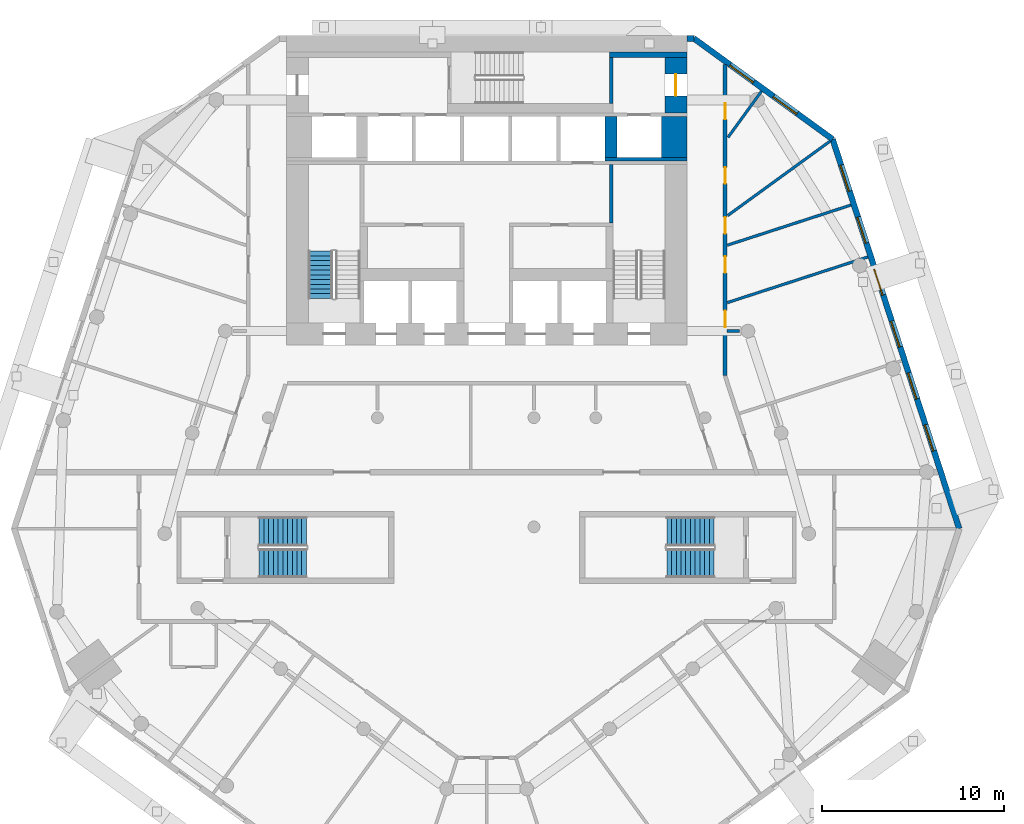
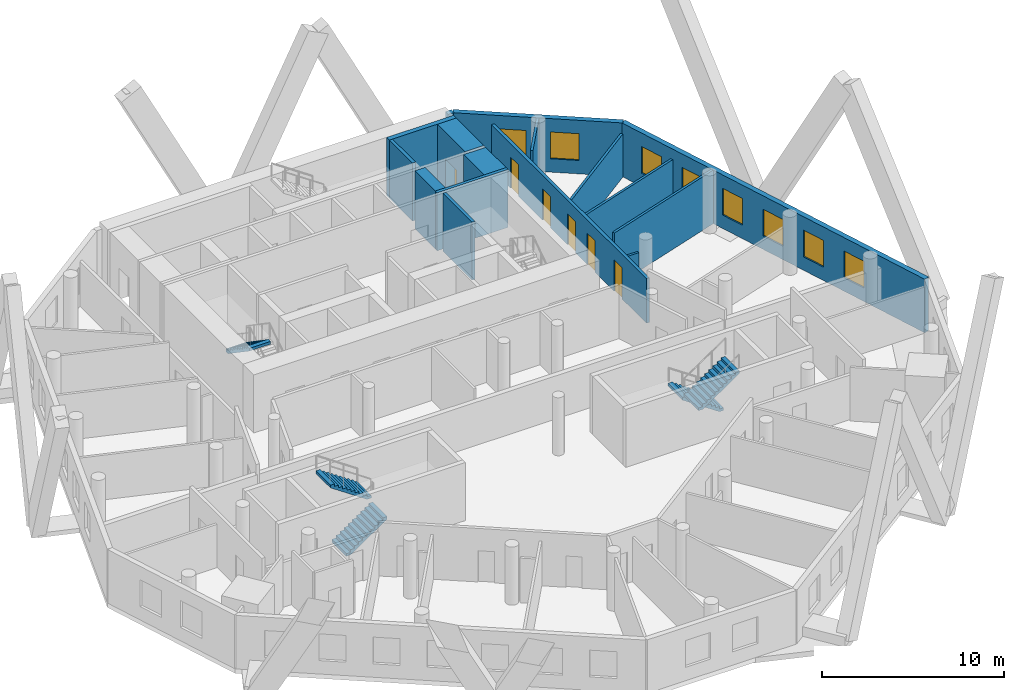
# One storey, part 7 of 10: 16 walls, 8 windows, 6 doors, 5 stair flights, 14 openings, 3 elements without a shape of their own.
"""IFC4 building model written with IfcOpenShell, lengths in metres."""

from ifc_helpers import new_model, si_unit, direction, frame, frame_2d, origin, place, context, subcontext, project, spatial, polyline, rectangle, outline, extrude, material, layer, layer_set, type_object, element, fill, aggregate, save


model = new_model("IFC4")

# Units and contexts
model_context = context("Model", 3, precision=1e-05, world=origin(), true_north=direction((0.0, 1.0)))
body_context = subcontext(model_context, "Body", "Model", "MODEL_VIEW")
ifc_project = project(units=[si_unit("LENGTHUNIT", "METRE"), si_unit("AREAUNIT", "SQUARE_METRE"), si_unit("VOLUMEUNIT", "CUBIC_METRE"), si_unit("PLANEANGLEUNIT", "RADIAN"), si_unit("MASSUNIT", "GRAM", prefix="KILO")], contexts=[model_context])

# Site, building, storey
site_placement = place(None, origin())
site = spatial("IfcSite", under=ifc_project, at=site_placement, CompositionType="ELEMENT")
building_placement = place(site_placement, origin())
building = spatial("IfcBuilding", under=site, at=building_placement, Name="White Candle Pilgrim Tower", CompositionType="ELEMENT")
storey_placement = place(building_placement, frame((0.0, 0.0, 66.300048828125)))
storey = spatial("IfcBuildingStorey", under=building, at=storey_placement, Name="L13", CompositionType="ELEMENT", Elevation=66.300048828125)

# Wall, opening, door
ifc_material_1 = material(Name="Concrete C70/85", Category="concrete")
ifc_layer_1 = layer(ifc_material_1, 1.199951171875)
ifc_layer_set_1 = layer_set([ifc_layer_1], Name="Core wall 1200 mm Concrete C70/85")
wall_type_1 = type_object("IfcWallType", Name="Core wall 1200 mm Concrete C70/85", PredefinedType="SHEAR", material=ifc_layer_set_1)
wall_1_placement = place(storey_placement, frame((80.39990234375, 83.75, 0.0), z_axis=(0.0, 0.0, 1.0), x_axis=(0.0, 1.0, 0.0)))
wall_1 = element("IfcWall", 1, at=wall_1_placement, inside=storey, type_object=wall_type_1, Name="WL-L13-C44", PredefinedType="SHEAR", context=body_context, shape_type="SweptSolid", body=[
    extrude(rectangle(XDim=3.050048828125, YDim=1.199951171875, at=frame_2d((1.52490234375, 0.0))), origin(), (0.0, 0.0, 1.0), 3.89990234375),
])
opening_1_placement = place(wall_1_placement, frame((0.925048828125, 0.0, 0.0)))
opening_1 = element("IfcOpeningElement", 2, at=opening_1_placement, cuts=wall_1, Name="Opening T04-006", PredefinedType="OPENING", context=body_context, shape_type="SweptSolid", body=[
    extrude(rectangle(XDim=1.199951171875, YDim=2.10009765625, at=frame_2d((0.60009765625, 1.050048828125))), frame((0.0, 0.60986328125, 0.0), z_axis=(0.0, -1.0, 0.0), x_axis=(1.0, 0.0, 0.0)), (0.0, 0.0, 1.0), 1.219970703125),
])
ifc_material_2 = material(Name="Steel door leaf", Category="steel")
door_type_1 = type_object("IfcDoorType", Name="Fire door 1200 x 2100 EI 30", OperationType="NOTDEFINED", PredefinedType="DOOR", material=ifc_material_2)
door_1_placement = place(opening_1_placement, origin())
door_1 = element("IfcDoor", 3, at=door_1_placement, inside=storey, type_object=door_type_1, Name="Door T04-006", OperationType="SINGLE_SWING_RIGHT", OverallHeight=2.10009765625, OverallWidth=1.199951171875, PredefinedType="DOOR", context=body_context, shape_type="SweptSolid", body=[
    extrude(rectangle(XDim=1.199951171875, YDim=2.10009765625, at=frame_2d((0.60009765625, 1.050048828125))), frame((0.0, 0.02490234375, 0.0), z_axis=(0.0, -1.0, 0.0), x_axis=(1.0, 0.0, 0.0)), (0.0, 0.0, 1.0), 0.050048828125),
])
fill(opening_1, door_1)

# Walls
ifc_layer_2 = layer(ifc_material_1, 1.39990234375)
ifc_layer_set_2 = layer_set([ifc_layer_2], Name="Core wall 1400 mm Concrete C70/85")
wall_type_2 = type_object("IfcWallType", Name="Core wall 1400 mm Concrete C70/85", PredefinedType="SHEAR", material=ifc_layer_set_2)
wall_2_placement = place(storey_placement, frame((80.300048828125, 81.300048828125, 0.0), z_axis=(0.0, 0.0, 1.0), x_axis=(0.0, 1.0, 0.0)))
element("IfcWall", 4, at=wall_2_placement, inside=storey, type_object=wall_type_2, Name="WL-L13-C40", PredefinedType="SHEAR", context=body_context, shape_type="SweptSolid", body=[
    extrude(rectangle(XDim=2.25, YDim=1.39990234375, at=frame_2d((1.125, 0.0))), origin(), (0.0, 0.0, 1.0), 3.89990234375),
])
ifc_layer_3 = layer(ifc_material_1, 0.199951171875)
ifc_layer_set_3 = layer_set([ifc_layer_3], Name="Core wall 200 mm Concrete C70/85")
wall_type_3 = type_object("IfcWallType", Name="Core wall 200 mm Concrete C70/85", PredefinedType="SHEAR", material=ifc_layer_set_3)
wall_3_placement = place(storey_placement, frame((76.5, 81.199951171875, 0.0), z_axis=(0.0, 0.0, 1.0), x_axis=(1.0, 0.0, 0.0)))
element("IfcWall", 5, at=wall_3_placement, inside=storey, type_object=wall_type_3, Name="WL-L13-C36", PredefinedType="SHEAR", context=body_context, shape_type="SweptSolid", body=[
    extrude(rectangle(XDim=4.5, YDim=0.199951171875, at=frame_2d((2.25, 0.0))), origin(), (0.0, 0.0, 1.0), 3.89990234375),
])

# Wall, openings, doors
ifc_material_3 = material(Name="Gypsum board on steel studs", Category="steel")
ifc_layer_4 = layer(ifc_material_3, 0.199951171875)
ifc_layer_set_4 = layer_set([ifc_layer_4], Name="Corridor wall 200 mm EI 45")
wall_type_4 = type_object("IfcWallType", Name="Corridor wall 200 mm EI 45", PredefinedType="PARTITIONING", material=ifc_layer_set_4)
wall_4_placement = place(storey_placement, frame((83.10009765625, 86.396240234375, 0.0), z_axis=(0.0, 0.0, 1.0), x_axis=(0.0, -1.0, 0.0)))
wall_4 = element("IfcWall", 6, at=wall_4_placement, inside=storey, type_object=wall_type_4, Name="WL-L13-P004", PredefinedType="PARTITIONING", context=body_context, shape_type="SweptSolid", body=[
    extrude(rectangle(XDim=17.0771484375, YDim=0.199951171875, at=frame_2d((8.53857421875, 0.0))), origin(), (0.0, 0.0, 1.0), 3.0),
])
opening_2_placement = place(wall_4_placement, frame((2.111572265625, 0.0, 0.0)))
opening_2 = element("IfcOpeningElement", 7, at=opening_2_placement, cuts=wall_4, Name="Opening T04-122", PredefinedType="OPENING", context=body_context, shape_type="SweptSolid", body=[
    extrude(rectangle(XDim=0.89990234375, YDim=2.10009765625, at=frame_2d((0.449951171875, 1.050048828125))), frame((0.0, 0.10986328125, 0.0), z_axis=(0.0, -1.0, 0.0), x_axis=(1.0, 0.0, 0.0)), (0.0, 0.0, 1.0), 0.219970703125),
])
opening_3_placement = place(wall_4_placement, frame((5.641357421875, 0.0, 0.0)))
opening_3 = element("IfcOpeningElement", 8, at=opening_3_placement, cuts=wall_4, Name="Opening T04-123", PredefinedType="OPENING", context=body_context, shape_type="SweptSolid", body=[
    extrude(rectangle(XDim=0.89990234375, YDim=2.10009765625, at=frame_2d((0.449951171875, 1.050048828125))), frame((0.0, 0.10986328125, 0.0), z_axis=(0.0, -1.0, 0.0), x_axis=(1.0, 0.0, 0.0)), (0.0, 0.0, 1.0), 0.219970703125),
])
opening_4_placement = place(wall_4_placement, frame((8.3798828125, 0.0, 0.0)))
opening_4 = element("IfcOpeningElement", 9, at=opening_4_placement, cuts=wall_4, Name="Opening T04-124", PredefinedType="OPENING", context=body_context, shape_type="SweptSolid", body=[
    extrude(rectangle(XDim=0.89990234375, YDim=2.10009765625, at=frame_2d((0.449951171875, 1.050048828125))), frame((0.0, 0.10986328125, 0.0), z_axis=(0.0, -1.0, 0.0), x_axis=(1.0, 0.0, 0.0)), (0.0, 0.0, 1.0), 0.219970703125),
])
opening_5_placement = place(wall_4_placement, frame((10.534423828125, 0.0, 0.0)))
opening_5 = element("IfcOpeningElement", 10, at=opening_5_placement, cuts=wall_4, Name="Opening T04-125", PredefinedType="OPENING", context=body_context, shape_type="SweptSolid", body=[
    extrude(rectangle(XDim=0.89990234375, YDim=2.10009765625, at=frame_2d((0.449951171875, 1.050048828125))), frame((0.0, 0.10986328125, 0.0), z_axis=(0.0, -1.0, 0.0), x_axis=(1.0, 0.0, 0.0)), (0.0, 0.0, 1.0), 0.219970703125),
])
opening_6_placement = place(wall_4_placement, frame((13.515380859375, 0.0, 0.0)))
opening_6 = element("IfcOpeningElement", 11, at=opening_6_placement, cuts=wall_4, Name="Opening T04-126", PredefinedType="OPENING", context=body_context, shape_type="SweptSolid", body=[
    extrude(rectangle(XDim=0.89990234375, YDim=2.10009765625, at=frame_2d((0.449951171875, 1.050048828125))), frame((0.0, 0.10986328125, 0.0), z_axis=(0.0, -1.0, 0.0), x_axis=(1.0, 0.0, 0.0)), (0.0, 0.0, 1.0), 0.219970703125),
])
door_type_2 = type_object("IfcDoorType", Name="Fire door 900 x 2100 EI 30", OperationType="NOTDEFINED", PredefinedType="DOOR", material=ifc_material_2)
door_2_placement = place(opening_2_placement, origin())
door_2 = element("IfcDoor", 12, at=door_2_placement, inside=storey, type_object=door_type_2, Name="Door T04-122", OperationType="SINGLE_SWING_RIGHT", OverallHeight=2.10009765625, OverallWidth=0.89990234375, PredefinedType="DOOR", context=body_context, shape_type="SweptSolid", body=[
    extrude(rectangle(XDim=0.89990234375, YDim=2.10009765625, at=frame_2d((0.449951171875, 1.050048828125))), frame((0.0, 0.02490234375, 0.0), z_axis=(0.0, -1.0, 0.0), x_axis=(1.0, 0.0, 0.0)), (0.0, 0.0, 1.0), 0.050048828125),
])
fill(opening_2, door_2)
door_3_placement = place(opening_3_placement, origin())
door_3 = element("IfcDoor", 13, at=door_3_placement, inside=storey, type_object=door_type_2, Name="Door T04-123", OperationType="SINGLE_SWING_LEFT", OverallHeight=2.10009765625, OverallWidth=0.89990234375, PredefinedType="DOOR", context=body_context, shape_type="SweptSolid", body=[
    extrude(rectangle(XDim=0.89990234375, YDim=2.10009765625, at=frame_2d((0.449951171875, 1.050048828125))), frame((0.0, 0.02490234375, 0.0), z_axis=(0.0, -1.0, 0.0), x_axis=(1.0, 0.0, 0.0)), (0.0, 0.0, 1.0), 0.050048828125),
])
fill(opening_3, door_3)
door_4_placement = place(opening_4_placement, origin())
door_4 = element("IfcDoor", 14, at=door_4_placement, inside=storey, type_object=door_type_2, Name="Door T04-124", OperationType="SINGLE_SWING_RIGHT", OverallHeight=2.10009765625, OverallWidth=0.89990234375, PredefinedType="DOOR", context=body_context, shape_type="SweptSolid", body=[
    extrude(rectangle(XDim=0.89990234375, YDim=2.10009765625, at=frame_2d((0.449951171875, 1.050048828125))), frame((0.0, 0.02490234375, 0.0), z_axis=(0.0, -1.0, 0.0), x_axis=(1.0, 0.0, 0.0)), (0.0, 0.0, 1.0), 0.050048828125),
])
fill(opening_4, door_4)
door_5_placement = place(opening_5_placement, origin())
door_5 = element("IfcDoor", 15, at=door_5_placement, inside=storey, type_object=door_type_2, Name="Door T04-125", OperationType="SINGLE_SWING_LEFT", OverallHeight=2.10009765625, OverallWidth=0.89990234375, PredefinedType="DOOR", context=body_context, shape_type="SweptSolid", body=[
    extrude(rectangle(XDim=0.89990234375, YDim=2.10009765625, at=frame_2d((0.449951171875, 1.050048828125))), frame((0.0, 0.02490234375, 0.0), z_axis=(0.0, -1.0, 0.0), x_axis=(1.0, 0.0, 0.0)), (0.0, 0.0, 1.0), 0.050048828125),
])
fill(opening_5, door_5)
door_6_placement = place(opening_6_placement, origin())
door_6 = element("IfcDoor", 16, at=door_6_placement, inside=storey, type_object=door_type_2, Name="Door T04-126", OperationType="SINGLE_SWING_LEFT", OverallHeight=2.10009765625, OverallWidth=0.89990234375, PredefinedType="DOOR", context=body_context, shape_type="SweptSolid", body=[
    extrude(rectangle(XDim=0.89990234375, YDim=2.10009765625, at=frame_2d((0.449951171875, 1.050048828125))), frame((0.0, 0.02490234375, 0.0), z_axis=(0.0, -1.0, 0.0), x_axis=(1.0, 0.0, 0.0)), (0.0, 0.0, 1.0), 0.050048828125),
])
fill(opening_6, door_6)

# Wall, openings, windows
ifc_material_4 = material(Name="Precast concrete C40/50", Category="concrete")
ifc_layer_5 = layer(ifc_material_4, 0.320068359375)
ifc_layer_set_5 = layer_set([ifc_layer_5], Name="Facade wall EW1 precast concrete C40/50 pier wall with timber-lined reveals")
wall_type_5 = type_object("IfcWallType", Name="Facade wall EW1 precast concrete C40/50 pier wall with timber-lined reveals", PredefinedType="SOLIDWALL", material=ifc_layer_set_5)
wall_5_placement = place(storey_placement, frame((95.96533203125, 60.903564453125, 0.0), z_axis=(0.0, 0.0, 1.0), x_axis=(-0.309016374519, 0.951056717698, 0.0)))
wall_5 = element("IfcWall", 17, at=wall_5_placement, inside=storey, type_object=wall_type_5, Name="Facade wall L13 ENE", PredefinedType="SOLIDWALL", context=body_context, shape_type="SweptSolid", body=[
    extrude(rectangle(XDim=22.49462890625, YDim=0.320068359375, at=frame_2d((11.247314453125, 0.0))), origin(), (0.0, 0.0, 1.0), 3.599853515625),
])
opening_7_placement = place(wall_5_placement, frame((4.497314453125, 0.0, 0.89990234375)))
opening_7 = element("IfcOpeningElement", 18, at=opening_7_placement, cuts=wall_5, Name="Opening W1", PredefinedType="OPENING", context=body_context, shape_type="SweptSolid", body=[
    extrude(rectangle(XDim=1.5, YDim=1.800048828125, at=frame_2d((0.75, 0.89990234375))), frame((0.0, 0.169921875, 0.0), z_axis=(0.0, -1.0, 0.0), x_axis=(1.0, 0.0, 0.0)), (0.0, 0.0, 1.0), 0.340087890625),
])
opening_8_placement = place(wall_5_placement, frame((7.497314453125, 0.0, 0.89990234375)))
opening_8 = element("IfcOpeningElement", 19, at=opening_8_placement, cuts=wall_5, Name="Opening W1", PredefinedType="OPENING", context=body_context, shape_type="SweptSolid", body=[
    extrude(rectangle(XDim=1.5, YDim=1.800048828125, at=frame_2d((0.75, 0.89990234375))), frame((0.0, 0.169921875, 0.0), z_axis=(0.0, -1.0, 0.0), x_axis=(1.0, 0.0, 0.0)), (0.0, 0.0, 1.0), 0.340087890625),
])
opening_9_placement = place(wall_5_placement, frame((10.497314453125, 0.0, 0.89990234375)))
opening_9 = element("IfcOpeningElement", 20, at=opening_9_placement, cuts=wall_5, Name="Opening W1", PredefinedType="OPENING", context=body_context, shape_type="SweptSolid", body=[
    extrude(rectangle(XDim=1.5, YDim=1.800048828125, at=frame_2d((0.75, 0.89990234375))), frame((0.0, 0.169921875, 0.0), z_axis=(0.0, -1.0, 0.0), x_axis=(1.0, 0.0, 0.0)), (0.0, 0.0, 1.0), 0.340087890625),
])
opening_10_placement = place(wall_5_placement, frame((13.497314453125, 0.0, 0.89990234375)))
opening_10 = element("IfcOpeningElement", 21, at=opening_10_placement, cuts=wall_5, Name="Opening W1", PredefinedType="OPENING", context=body_context, shape_type="SweptSolid", body=[
    extrude(rectangle(XDim=1.5, YDim=1.800048828125, at=frame_2d((0.75, 0.89990234375))), frame((0.0, 0.169921875, 0.0), z_axis=(0.0, -1.0, 0.0), x_axis=(1.0, 0.0, 0.0)), (0.0, 0.0, 1.0), 0.340087890625),
])
opening_11_placement = place(wall_5_placement, frame((16.497314453125, 0.0, 0.89990234375)))
opening_11 = element("IfcOpeningElement", 22, at=opening_11_placement, cuts=wall_5, Name="Opening W1", PredefinedType="OPENING", context=body_context, shape_type="SweptSolid", body=[
    extrude(rectangle(XDim=1.5, YDim=1.800048828125, at=frame_2d((0.75, 0.89990234375))), frame((0.0, 0.169921875, 0.0), z_axis=(0.0, -1.0, 0.0), x_axis=(1.0, 0.0, 0.0)), (0.0, 0.0, 1.0), 0.340087890625),
])
opening_12_placement = place(wall_5_placement, frame((19.497314453125, 0.0, 0.89990234375)))
opening_12 = element("IfcOpeningElement", 23, at=opening_12_placement, cuts=wall_5, Name="Opening W1", PredefinedType="OPENING", context=body_context, shape_type="SweptSolid", body=[
    extrude(rectangle(XDim=1.5, YDim=1.800048828125, at=frame_2d((0.75, 0.89990234375))), frame((0.0, 0.169921875, 0.0), z_axis=(0.0, -1.0, 0.0), x_axis=(1.0, 0.0, 0.0)), (0.0, 0.0, 1.0), 0.340087890625),
])
ifc_material_5 = material(Name="Timber frame with triple glazing", Category="wood")
window_type_1 = type_object("IfcWindowType", Name="Window W1 1500x1800 timber frame triple glazing", PartitioningType="SINGLE_PANEL", PredefinedType="WINDOW", material=ifc_material_5)
window_1_placement = place(opening_7_placement, origin())
window_1 = element("IfcWindow", 24, at=window_1_placement, inside=storey, type_object=window_type_1, Name="Window W1 L13 ENE 2", OverallHeight=1.800048828125, OverallWidth=1.5, PartitioningType="SINGLE_PANEL", PredefinedType="WINDOW", context=body_context, shape_type="SweptSolid", body=[
    extrude(rectangle(XDim=1.5, YDim=1.800048828125, at=frame_2d((0.75, 0.89990234375))), frame((0.0, 0.070068359375, 0.0), z_axis=(0.0, -1.0, 0.0), x_axis=(1.0, 0.0, 0.0)), (0.0, 0.0, 1.0), 0.06005859375),
])
fill(opening_7, window_1)
window_2_placement = place(opening_8_placement, origin())
window_2 = element("IfcWindow", 25, at=window_2_placement, inside=storey, type_object=window_type_1, Name="Window W1 L13 ENE 3", OverallHeight=1.800048828125, OverallWidth=1.5, PartitioningType="SINGLE_PANEL", PredefinedType="WINDOW", context=body_context, shape_type="SweptSolid", body=[
    extrude(rectangle(XDim=1.5, YDim=1.800048828125, at=frame_2d((0.75, 0.89990234375))), frame((0.0, 0.070068359375, 0.0), z_axis=(0.0, -1.0, 0.0), x_axis=(1.0, 0.0, 0.0)), (0.0, 0.0, 1.0), 0.06005859375),
])
fill(opening_8, window_2)
window_3_placement = place(opening_9_placement, origin())
window_3 = element("IfcWindow", 26, at=window_3_placement, inside=storey, type_object=window_type_1, Name="Window W1 L13 ENE 4", OverallHeight=1.800048828125, OverallWidth=1.5, PartitioningType="SINGLE_PANEL", PredefinedType="WINDOW", context=body_context, shape_type="SweptSolid", body=[
    extrude(rectangle(XDim=1.5, YDim=1.800048828125, at=frame_2d((0.75, 0.89990234375))), frame((0.0, 0.070068359375, 0.0), z_axis=(0.0, -1.0, 0.0), x_axis=(1.0, 0.0, 0.0)), (0.0, 0.0, 1.0), 0.06005859375),
])
fill(opening_9, window_3)
window_4_placement = place(opening_10_placement, origin())
window_4 = element("IfcWindow", 27, at=window_4_placement, inside=storey, type_object=window_type_1, Name="Window W1 L13 ENE 5", OverallHeight=1.800048828125, OverallWidth=1.5, PartitioningType="SINGLE_PANEL", PredefinedType="WINDOW", context=body_context, shape_type="SweptSolid", body=[
    extrude(rectangle(XDim=1.5, YDim=1.800048828125, at=frame_2d((0.75, 0.89990234375))), frame((0.0, 0.070068359375, 0.0), z_axis=(0.0, -1.0, 0.0), x_axis=(1.0, 0.0, 0.0)), (0.0, 0.0, 1.0), 0.06005859375),
])
fill(opening_10, window_4)
window_5_placement = place(opening_11_placement, origin())
window_5 = element("IfcWindow", 28, at=window_5_placement, inside=storey, type_object=window_type_1, Name="Window W1 L13 ENE 6", OverallHeight=1.800048828125, OverallWidth=1.5, PartitioningType="SINGLE_PANEL", PredefinedType="WINDOW", context=body_context, shape_type="SweptSolid", body=[
    extrude(rectangle(XDim=1.5, YDim=1.800048828125, at=frame_2d((0.75, 0.89990234375))), frame((0.0, 0.070068359375, 0.0), z_axis=(0.0, -1.0, 0.0), x_axis=(1.0, 0.0, 0.0)), (0.0, 0.0, 1.0), 0.06005859375),
])
fill(opening_11, window_5)
window_6_placement = place(opening_12_placement, origin())
window_6 = element("IfcWindow", 29, at=window_6_placement, inside=storey, type_object=window_type_1, Name="Window W1 L13 ENE 7", OverallHeight=1.800048828125, OverallWidth=1.5, PartitioningType="SINGLE_PANEL", PredefinedType="WINDOW", context=body_context, shape_type="SweptSolid", body=[
    extrude(rectangle(XDim=1.5, YDim=1.800048828125, at=frame_2d((0.75, 0.89990234375))), frame((0.0, 0.070068359375, 0.0), z_axis=(0.0, -1.0, 0.0), x_axis=(1.0, 0.0, 0.0)), (0.0, 0.0, 1.0), 0.06005859375),
])
fill(opening_12, window_6)

wall_6_placement = place(storey_placement, frame((89.01416015625, 82.297119140625, 0.0), z_axis=(0.0, 0.0, 1.0), x_axis=(-0.809013639072, 0.587789870443, 0.0)))
wall_6 = element("IfcWall", 30, at=wall_6_placement, inside=storey, type_object=wall_type_5, Name="Facade wall L13 NE chamfer", PredefinedType="SOLIDWALL", context=body_context, shape_type="SweptSolid", body=[
    extrude(rectangle(XDim=9.43017578125, YDim=0.320068359375, at=frame_2d((4.715087890625, 0.0))), origin(), (0.0, 0.0, 1.0), 3.599853515625),
])
opening_13_placement = place(wall_6_placement, frame((2.4150390625, 0.0, 0.89990234375)))
opening_13 = element("IfcOpeningElement", 31, at=opening_13_placement, cuts=wall_6, Name="Opening W2", PredefinedType="OPENING", context=body_context, shape_type="SweptSolid", body=[
    extrude(rectangle(XDim=1.60009765625, YDim=1.800048828125, at=frame_2d((0.800048828125, 0.89990234375))), frame((0.0, 0.169921875, 0.0), z_axis=(0.0, -1.0, 0.0), x_axis=(1.0, 0.0, 0.0)), (0.0, 0.0, 1.0), 0.340087890625),
])
opening_14_placement = place(wall_6_placement, frame((5.364990234375, 0.0, 0.89990234375)))
opening_14 = element("IfcOpeningElement", 32, at=opening_14_placement, cuts=wall_6, Name="Opening W2", PredefinedType="OPENING", context=body_context, shape_type="SweptSolid", body=[
    extrude(rectangle(XDim=1.60009765625, YDim=1.800048828125, at=frame_2d((0.800048828125, 0.89990234375))), frame((0.0, 0.169921875, 0.0), z_axis=(0.0, -1.0, 0.0), x_axis=(1.0, 0.0, 0.0)), (0.0, 0.0, 1.0), 0.340087890625),
])
window_type_2 = type_object("IfcWindowType", Name="Window W2 1600x1800 timber frame triple glazing", PartitioningType="SINGLE_PANEL", PredefinedType="WINDOW", material=ifc_material_5)
window_7_placement = place(opening_13_placement, origin())
window_7 = element("IfcWindow", 33, at=window_7_placement, inside=storey, type_object=window_type_2, Name="Window W2 L13 NE chamfer 1", OverallHeight=1.800048828125, OverallWidth=1.60009765625, PartitioningType="SINGLE_PANEL", PredefinedType="WINDOW", context=body_context, shape_type="SweptSolid", body=[
    extrude(rectangle(XDim=1.60009765625, YDim=1.800048828125, at=frame_2d((0.800048828125, 0.89990234375))), frame((0.0, 0.070068359375, 0.0), z_axis=(0.0, -1.0, 0.0), x_axis=(1.0, 0.0, 0.0)), (0.0, 0.0, 1.0), 0.06005859375),
])
fill(opening_13, window_7)
window_8_placement = place(opening_14_placement, origin())
window_8 = element("IfcWindow", 34, at=window_8_placement, inside=storey, type_object=window_type_2, Name="Window W2 L13 NE chamfer 2", OverallHeight=1.800048828125, OverallWidth=1.60009765625, PartitioningType="SINGLE_PANEL", PredefinedType="WINDOW", context=body_context, shape_type="SweptSolid", body=[
    extrude(rectangle(XDim=1.60009765625, YDim=1.800048828125, at=frame_2d((0.800048828125, 0.89990234375))), frame((0.0, 0.070068359375, 0.0), z_axis=(0.0, -1.0, 0.0), x_axis=(1.0, 0.0, 0.0)), (0.0, 0.0, 1.0), 0.06005859375),
])
fill(opening_14, window_8)

# Walls
wall_7_placement = place(storey_placement, frame((81.385009765625, 87.840087890625, 0.0), z_axis=(0.0, 0.0, 1.0), x_axis=(-1.0, 0.0, 0.0)))
element("IfcWall", 35, at=wall_7_placement, inside=storey, type_object=wall_type_5, Name="Facade wall L13 N", PredefinedType="SOLIDWALL", context=body_context, shape_type="SweptSolid", body=[
    extrude(rectangle(XDim=0.385009765625, YDim=0.320068359375, at=frame_2d((0.1923828125, 0.0))), origin(), (0.0, 0.0, 1.0), 3.599853515625),
])
ifc_layer_6 = layer(ifc_material_3, 0.14990234375)
ifc_layer_set_6 = layer_set([ifc_layer_6], Name="Partition 150 mm EI 60")
wall_type_6 = type_object("IfcWallType", Name="Partition 150 mm EI 60", PredefinedType="PARTITIONING", material=ifc_layer_set_6)
wall_8_placement = place(storey_placement, frame((88.8779296875, 82.1982421875, 0.0), z_axis=(0.0, 0.0, 1.0), x_axis=(-0.809011915856, -0.58779224221, 0.0)))
element("IfcWall", 36, at=wall_8_placement, inside=storey, type_object=wall_type_6, Name="WL-L13-P023", PredefinedType="PARTITIONING", context=body_context, shape_type="SweptSolid", body=[
    extrude(rectangle(XDim=6.9638671875, YDim=0.14990234375, at=frame_2d((3.48193359375, 0.0))), origin(), (0.0, 0.0, 1.0), 2.89990234375),
])
wall_9_placement = place(storey_placement, frame((90.947021484375, 75.830810546875, 0.0), z_axis=(0.0, 0.0, 1.0), x_axis=(-0.951051961222, -0.309031013097, 0.0)))
element("IfcWall", 37, at=wall_9_placement, inside=storey, type_object=wall_type_6, Name="WL-L13-P038", PredefinedType="PARTITIONING", context=body_context, shape_type="SweptSolid", body=[
    extrude(rectangle(XDim=8.121337890625, YDim=0.14990234375, at=frame_2d((4.060546875, 0.0))), origin(), (0.0, 0.0, 1.0), 3.599853515625),
])
wall_10_placement = place(storey_placement, frame((90.02001953125, 78.683837890625, 0.0), z_axis=(0.0, 0.0, 1.0), x_axis=(-0.951064189929, -0.308993376362, 0.0)))
element("IfcWall", 38, at=wall_10_placement, inside=storey, type_object=wall_type_6, Name="WL-L13-P039", PredefinedType="PARTITIONING", context=body_context, shape_type="SweptSolid", body=[
    extrude(rectangle(XDim=7.146484375, YDim=0.14990234375, at=frame_2d((3.5732421875, 0.0))), origin(), (0.0, 0.0, 1.0), 2.89990234375),
])
wall_11_placement = place(storey_placement, frame((85.10546875, 84.939208984375, 0.0), z_axis=(0.0, 0.0, 1.0), x_axis=(-0.587746109375, -0.809045431923, 0.0)))
element("IfcWall", 39, at=wall_11_placement, inside=storey, type_object=wall_type_6, Name="WL-L13-P040", PredefinedType="PARTITIONING", context=body_context, shape_type="SweptSolid", body=[
    extrude(rectangle(XDim=3.138671875, YDim=0.14990234375, at=frame_2d((1.5693359375, 0.0))), origin(), (0.0, 0.0, 1.0), 3.599853515625),
])
wall_12_placement = place(storey_placement, frame((83.89501953125, 71.7578125, 0.0), z_axis=(0.0, 0.0, 1.0), x_axis=(-1.0, 0.0, 0.0)))
element("IfcWall", 40, at=wall_12_placement, inside=storey, type_object=wall_type_6, Name="WL-L13-P048", PredefinedType="PARTITIONING", context=body_context, shape_type="SweptSolid", body=[
    extrude(rectangle(XDim=0.695068359375, YDim=0.14990234375, at=frame_2d((0.34765625, 0.0))), origin(), (0.0, 0.0, 1.0), 3.0),
])
ifc_layer_7 = layer(ifc_material_1, 0.64990234375)
ifc_layer_set_7 = layer_set([ifc_layer_7], Name="Shaft wall 650 mm Concrete C70/85")
wall_type_7 = type_object("IfcWallType", Name="Shaft wall 650 mm Concrete C70/85", PredefinedType="SHEAR", material=ifc_layer_set_7)
wall_13_placement = place(storey_placement, frame((76.824951171875, 81.300048828125, 0.0), z_axis=(0.0, 0.0, 1.0), x_axis=(0.0, 1.0, 0.0)))
element("IfcWall", 41, at=wall_13_placement, inside=storey, type_object=wall_type_7, Name="WL-L13-C39", PredefinedType="SHEAR", context=body_context, shape_type="SweptSolid", body=[
    extrude(rectangle(XDim=2.25, YDim=0.64990234375, at=frame_2d((1.125, 0.0))), origin(), (0.0, 0.0, 1.0), 3.89990234375),
])
ifc_layer_8 = layer(ifc_material_1, 0.199951171875)
ifc_layer_set_8 = layer_set([ifc_layer_8], Name="Stair shaft wall 200 mm Concrete C70/85")
wall_type_8 = type_object("IfcWallType", Name="Stair shaft wall 200 mm Concrete C70/85", PredefinedType="SHEAR", material=ifc_layer_set_8)
wall_14_placement = place(storey_placement, frame((76.85009765625, 77.699951171875, 0.0), z_axis=(0.0, 0.0, 1.0), x_axis=(0.0, 1.0, 0.0)))
element("IfcWall", 42, at=wall_14_placement, inside=storey, type_object=wall_type_8, Name="WL-L13-C29", PredefinedType="SHEAR", context=body_context, shape_type="SweptSolid", body=[
    extrude(rectangle(XDim=3.199951171875, YDim=0.199951171875, at=frame_2d((1.60009765625, 0.0))), origin(), (0.0, 0.0, 1.0), 3.89990234375),
])
wall_15_placement = place(storey_placement, frame((76.85009765625, 84.25, 0.0), z_axis=(0.0, 0.0, 1.0), x_axis=(0.0, 1.0, 0.0)))
element("IfcWall", 43, at=wall_15_placement, inside=storey, type_object=wall_type_8, Name="WL-L13-C46", PredefinedType="SHEAR", context=body_context, shape_type="SweptSolid", body=[
    extrude(rectangle(XDim=2.550048828125, YDim=0.199951171875, at=frame_2d((1.27490234375, 0.0))), origin(), (0.0, 0.0, 1.0), 3.89990234375),
])
ifc_layer_9 = layer(ifc_material_1, 0.300048828125)
ifc_layer_set_9 = layer_set([ifc_layer_9], Name="Stair shaft wall 300 mm Concrete C70/85")
wall_type_9 = type_object("IfcWallType", Name="Stair shaft wall 300 mm Concrete C70/85", PredefinedType="SHEAR", material=ifc_layer_set_9)
wall_16_placement = place(storey_placement, frame((76.75, 86.949951171875, 0.0), z_axis=(0.0, 0.0, 1.0), x_axis=(1.0, 0.0, 0.0)))
element("IfcWall", 44, at=wall_16_placement, inside=storey, type_object=wall_type_9, Name="WL-L13-C48", PredefinedType="SHEAR", context=body_context, shape_type="SweptSolid", body=[
    extrude(rectangle(XDim=4.25, YDim=0.300048828125, at=frame_2d((2.125, 0.0))), origin(), (0.0, 0.0, 1.0), 3.89990234375),
])

# Stair, stair flight
ifc_material_6 = material(Name="Concrete C40/50", Category="concrete")
stair_type_1 = type_object("IfcStairType", Name="Exit stair 1 flight width 1350 mm", PredefinedType="HALF_TURN_STAIR", material=ifc_material_6)
stair_1_placement = place(storey_placement, origin())
stair_1 = element("IfcStair", 45, at=stair_1_placement, inside=storey, type_object=stair_type_1, Name="L13 stair 1", PredefinedType="NOTDEFINED")
ifc_layer_10 = layer(ifc_material_6, 0.14990234375)
ifc_layer_set_10 = layer_set([ifc_layer_10], Name="Stair flight Concrete C40/50")
stair_flight_type = type_object("IfcStairFlightType", Name="Stair flight Concrete C40/50", PredefinedType="STRAIGHT", material=ifc_layer_set_10)
stair_flight_1_placement = place(storey_placement, frame((60.875, 76.14990234375, 1.949951171875), z_axis=(0.0, 0.0, 1.0), x_axis=(0.0, -1.0, 0.0)))
stair_flight_1 = element("IfcStairFlight", 46, at=stair_flight_1_placement, type_object=stair_flight_type, Name="ST1 flight 2", NumberOfRisers=11, NumberOfTreads=10, PredefinedType="NOTDEFINED", RiserHeight=0.177272727, TreadLength=0.26, context=body_context, shape_type="SweptSolid", body=[
    extrude(outline(polyline([(0.0, 0.0), (0.0, 0.17724609375), (0.260009765625, 0.17724609375), (0.260009765625, 0.3544921875), (0.52001953125, 0.3544921875), (0.52001953125, 0.53173828125), (0.780029296875, 0.53173828125), (0.780029296875, 0.708984375), (1.0400390625, 0.708984375), (1.0400390625, 0.886474609375), (1.300048828125, 0.886474609375), (1.300048828125, 1.063720703125), (1.56005859375, 1.063720703125), (1.56005859375, 1.240966796875), (1.820068359375, 1.240966796875), (1.820068359375, 1.418212890625), (2.080078125, 1.418212890625), (2.080078125, 1.595458984375), (2.340087890625, 1.595458984375), (2.340087890625, 1.772705078125), (2.60009765625, 1.772705078125), (2.60009765625, 1.949951171875), (2.60009765625, 1.59130859375), (0.26611328125, 0.0), (0.0, 0.0)])), frame((0.0, 0.675048828125, 0.0), z_axis=(0.0, -1.0, 0.0), x_axis=(1.0, 0.0, 0.0)), (0.0, 0.0, 1.0), 1.35009765625),
])
aggregate(stair_1, [stair_flight_1])

# Stair, stair flights
stair_type_2 = type_object("IfcStairType", Name="Exit stair 4 flight width 1600 mm", PredefinedType="HALF_TURN_STAIR", material=ifc_material_6)
stair_2_placement = place(storey_placement, origin())
stair_2 = element("IfcStair", 47, at=stair_2_placement, inside=storey, type_object=stair_type_2, Name="L13 stair 4", PredefinedType="NOTDEFINED")
stair_flight_2_placement = place(storey_placement, frame((82.5, 60.75, 0.0), z_axis=(0.0, 0.0, 1.0), x_axis=(-1.0, 0.0, 0.0)))
stair_flight_2 = element("IfcStairFlight", 48, at=stair_flight_2_placement, type_object=stair_flight_type, Name="ST4 flight 1", NumberOfRisers=11, NumberOfTreads=10, PredefinedType="NOTDEFINED", RiserHeight=0.177272727, TreadLength=0.26, context=body_context, shape_type="SweptSolid", body=[
    extrude(outline(polyline([(0.0, 0.0), (0.0, 0.17724609375), (0.260009765625, 0.17724609375), (0.260009765625, 0.3544921875), (0.52001953125, 0.3544921875), (0.52001953125, 0.53173828125), (0.780029296875, 0.53173828125), (0.780029296875, 0.708984375), (1.0400390625, 0.708984375), (1.0400390625, 0.886474609375), (1.300048828125, 0.886474609375), (1.300048828125, 1.063720703125), (1.56005859375, 1.063720703125), (1.56005859375, 1.240966796875), (1.820068359375, 1.240966796875), (1.820068359375, 1.418212890625), (2.080078125, 1.418212890625), (2.080078125, 1.595458984375), (2.340087890625, 1.595458984375), (2.340087890625, 1.772705078125), (2.60009765625, 1.772705078125), (2.60009765625, 1.949951171875), (2.60009765625, 1.59130859375), (0.26611328125, 0.0), (0.0, 0.0)])), frame((0.0, 0.800048828125, 0.0), z_axis=(0.0, -1.0, 0.0), x_axis=(1.0, 0.0, 0.0)), (0.0, 0.0, 1.0), 1.60009765625),
])
stair_flight_3_placement = place(storey_placement, frame((79.89990234375, 59.0, 1.949951171875), z_axis=(0.0, 0.0, 1.0), x_axis=(1.0, 0.0, 0.0)))
stair_flight_3 = element("IfcStairFlight", 49, at=stair_flight_3_placement, type_object=stair_flight_type, Name="ST4 flight 2", NumberOfRisers=11, NumberOfTreads=10, PredefinedType="NOTDEFINED", RiserHeight=0.177272727, TreadLength=0.26, context=body_context, shape_type="SweptSolid", body=[
    extrude(outline(polyline([(0.0, 0.0), (0.0, 0.17724609375), (0.260009765625, 0.17724609375), (0.260009765625, 0.3544921875), (0.52001953125, 0.3544921875), (0.52001953125, 0.53173828125), (0.780029296875, 0.53173828125), (0.780029296875, 0.708984375), (1.0400390625, 0.708984375), (1.0400390625, 0.886474609375), (1.300048828125, 0.886474609375), (1.300048828125, 1.063720703125), (1.56005859375, 1.063720703125), (1.56005859375, 1.240966796875), (1.820068359375, 1.240966796875), (1.820068359375, 1.418212890625), (2.080078125, 1.418212890625), (2.080078125, 1.595458984375), (2.340087890625, 1.595458984375), (2.340087890625, 1.772705078125), (2.60009765625, 1.772705078125), (2.60009765625, 1.949951171875), (2.60009765625, 1.59130859375), (0.26611328125, 0.0), (0.0, 0.0)])), frame((0.0, 0.800048828125, 0.0), z_axis=(0.0, -1.0, 0.0), x_axis=(1.0, 0.0, 0.0)), (0.0, 0.0, 1.0), 1.60009765625),
])
aggregate(stair_2, [stair_flight_2, stair_flight_3])

stair_type_3 = type_object("IfcStairType", Name="Exit stair 5 flight width 1600 mm", PredefinedType="HALF_TURN_STAIR", material=ifc_material_6)
stair_3_placement = place(storey_placement, origin())
stair_3 = element("IfcStair", 50, at=stair_3_placement, inside=storey, type_object=stair_type_3, Name="L13 stair 5", PredefinedType="NOTDEFINED")
stair_flight_4_placement = place(storey_placement, frame((57.5, 59.0, 0.0), z_axis=(0.0, 0.0, 1.0), x_axis=(1.0, 0.0, 0.0)))
stair_flight_4 = element("IfcStairFlight", 51, at=stair_flight_4_placement, type_object=stair_flight_type, Name="ST5 flight 1", NumberOfRisers=11, NumberOfTreads=10, PredefinedType="NOTDEFINED", RiserHeight=0.177272727, TreadLength=0.26, context=body_context, shape_type="SweptSolid", body=[
    extrude(outline(polyline([(0.0, 0.0), (0.0, 0.17724609375), (0.260009765625, 0.17724609375), (0.260009765625, 0.3544921875), (0.52001953125, 0.3544921875), (0.52001953125, 0.53173828125), (0.780029296875, 0.53173828125), (0.780029296875, 0.708984375), (1.0400390625, 0.708984375), (1.0400390625, 0.886474609375), (1.300048828125, 0.886474609375), (1.300048828125, 1.063720703125), (1.56005859375, 1.063720703125), (1.56005859375, 1.240966796875), (1.820068359375, 1.240966796875), (1.820068359375, 1.418212890625), (2.080078125, 1.418212890625), (2.080078125, 1.595458984375), (2.340087890625, 1.595458984375), (2.340087890625, 1.772705078125), (2.60009765625, 1.772705078125), (2.60009765625, 1.949951171875), (2.60009765625, 1.59130859375), (0.26611328125, 0.0), (0.0, 0.0)])), frame((0.0, 0.800048828125, 0.0), z_axis=(0.0, -1.0, 0.0), x_axis=(1.0, 0.0, 0.0)), (0.0, 0.0, 1.0), 1.60009765625),
])
stair_flight_5_placement = place(storey_placement, frame((60.10009765625, 60.75, 1.949951171875), z_axis=(0.0, 0.0, 1.0), x_axis=(-1.0, 0.0, 0.0)))
stair_flight_5 = element("IfcStairFlight", 52, at=stair_flight_5_placement, type_object=stair_flight_type, Name="ST5 flight 2", NumberOfRisers=11, NumberOfTreads=10, PredefinedType="NOTDEFINED", RiserHeight=0.177272727, TreadLength=0.26, context=body_context, shape_type="SweptSolid", body=[
    extrude(outline(polyline([(0.0, 0.0), (0.0, 0.17724609375), (0.260009765625, 0.17724609375), (0.260009765625, 0.3544921875), (0.52001953125, 0.3544921875), (0.52001953125, 0.53173828125), (0.780029296875, 0.53173828125), (0.780029296875, 0.708984375), (1.0400390625, 0.708984375), (1.0400390625, 0.886474609375), (1.300048828125, 0.886474609375), (1.300048828125, 1.063720703125), (1.56005859375, 1.063720703125), (1.56005859375, 1.240966796875), (1.820068359375, 1.240966796875), (1.820068359375, 1.418212890625), (2.080078125, 1.418212890625), (2.080078125, 1.595458984375), (2.340087890625, 1.595458984375), (2.340087890625, 1.772705078125), (2.60009765625, 1.772705078125), (2.60009765625, 1.949951171875), (2.60009765625, 1.59130859375), (0.26611328125, 0.0), (0.0, 0.0)])), frame((0.0, 0.800048828125, 0.0), z_axis=(0.0, -1.0, 0.0), x_axis=(1.0, 0.0, 0.0)), (0.0, 0.0, 1.0), 1.60009765625),
])
aggregate(stair_3, [stair_flight_4, stair_flight_5])

save(model, "model.ifc")
